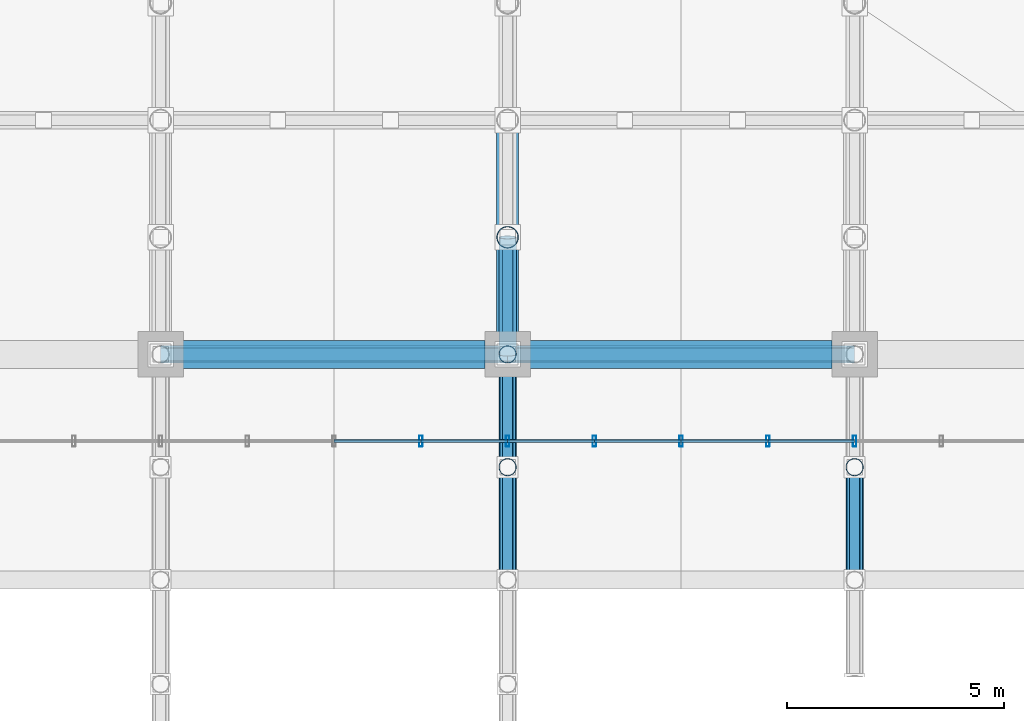
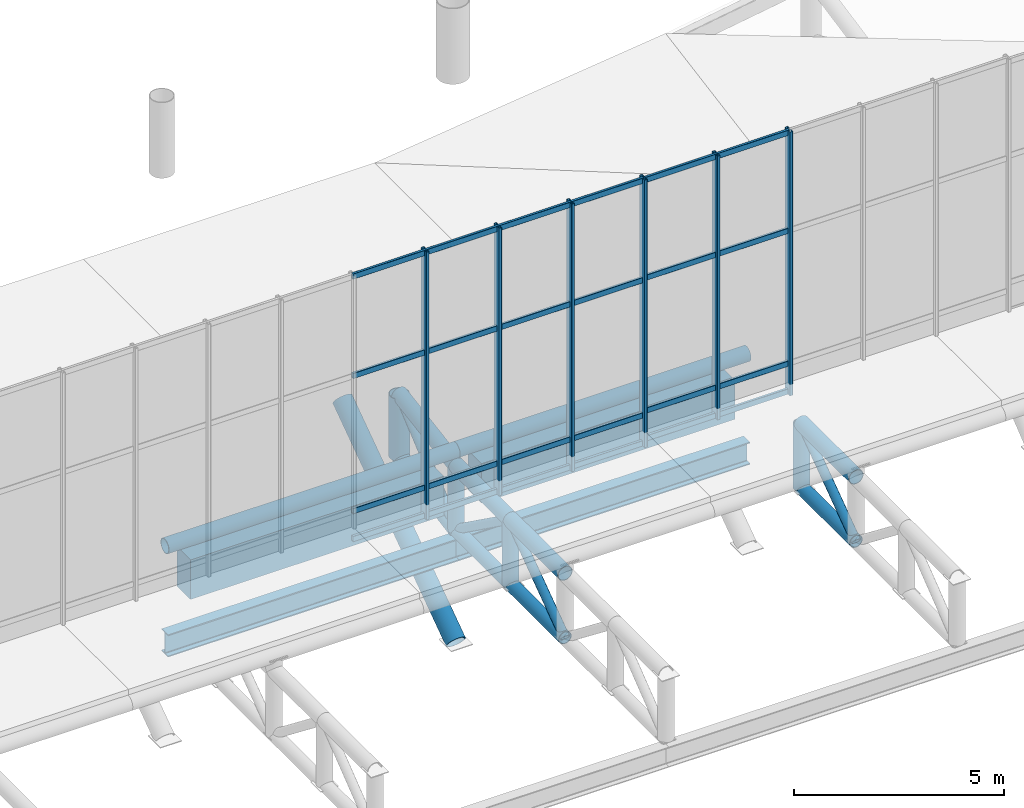
# One storey, part 52 of 137: 49 members, 4 beams, 2 elements without a shape of their own.
"""IFC4 building model written with IfcOpenShell, lengths in metres."""

from ifc_helpers import new_model, si_unit, direction, frame, origin, origin_2d, place, context, subcontext, project, spatial, rectangle, hollow_rectangle, hollow_circle, i_section, extrude, material, layer, layer_set, material_profile, profile_set, type_object, element, aggregate, save


model = new_model("IFC4")

# Units and contexts
model_context = context("Model", 3, precision=1e-05, world=origin(), true_north=direction((0.0, 1.0)))
body_context = subcontext(model_context, "Body", "Model", "MODEL_VIEW")
ifc_project = project(units=[si_unit("LENGTHUNIT", "METRE"), si_unit("AREAUNIT", "SQUARE_METRE"), si_unit("VOLUMEUNIT", "CUBIC_METRE"), si_unit("PLANEANGLEUNIT", "RADIAN"), si_unit("MASSUNIT", "GRAM", prefix="KILO")], contexts=[model_context])

# Site, building, storey
site_placement = place(None, origin())
site = spatial("IfcSite", under=ifc_project, at=site_placement, CompositionType="ELEMENT")
building_placement = place(site_placement, origin())
building = spatial("IfcBuilding", under=site, at=building_placement, Name="Khorjan Park Terminus", CompositionType="ELEMENT")
storey_placement = place(building_placement, frame((0.0, 0.0, 11.4)))
storey = spatial("IfcBuildingStorey", under=building, at=storey_placement, Name="L02", CompositionType="ELEMENT", Elevation=11.4)

# Members
ifc_material_1 = material(Name="Steel S355", Category="steel")
ifc_material_profile_1 = material_profile(ifc_material_1, hollow_circle(Radius=0.1222, WallThickness=0.0125, at=origin_2d()), Name="CHS 244.5x12.5")
ifc_profile_set_1 = profile_set([ifc_material_profile_1], Name="Steel S355")
member_type_1 = type_object("IfcMemberType", Name="MB-BR-245", PredefinedType="BRACE", material=ifc_profile_set_1)
for number, where, z_axis, x_axis, name in (
    (1, (96.0, 82.8, -1.92), (0.0, 0.811830357573, 0.583893372562), (-1.0, 0.0, 0.0), "Lower shell cantilever truss diagonal (7N)"),
    (2, (96.0, 85.4, -0.05), (0.0, 0.811830357573, -0.583893372562), (-1.0, 0.0, 0.0), "Lower shell cantilever truss diagonal (7N)"),
    (3, (104.0, 82.8, -1.92), (0.0, 0.811830357573, 0.583893372562), (-1.0, 0.0, 0.0), "Lower shell cantilever truss diagonal (8N)"),
):
    element("IfcMember", number, at=place(storey_placement, frame(where, z_axis=z_axis, x_axis=x_axis)), inside=storey, type_object=member_type_1, Name=name, PredefinedType="BRACE", context=body_context, shape_type="SweptSolid", body=[
        extrude(hollow_circle(Radius=0.1222, WallThickness=0.0125, at=origin_2d()), origin(), (0.0, 0.0, 1.0), 3.2026),
    ])
ifc_material_profile_2 = material_profile(ifc_material_1, hollow_circle(Radius=0.1222, WallThickness=0.0125, at=origin_2d()), Name="CHS 244.5x12.5")
ifc_profile_set_2 = profile_set([ifc_material_profile_2], Name="Steel S355")
member_type_2 = type_object("IfcMemberType", Name="MB-BRE-245", PredefinedType="BRACE", material=ifc_profile_set_2)
member_1_placement = place(storey_placement, frame((96.0, 88.0, -1.92), z_axis=(0.0, 0.759574242279, 0.650420610426), x_axis=(-1.0, 0.0, 0.0)))
element("IfcMember", 4, at=member_1_placement, inside=storey, type_object=member_type_2, Name="Lower shell cantilever truss diagonal (7N)", PredefinedType="BRACE", context=body_context, shape_type="SweptSolid", body=[
    extrude(hollow_circle(Radius=0.1222, WallThickness=0.0125, at=origin_2d()), origin(), (0.0, 0.0, 1.0), 3.5546),
])
ifc_material_profile_3 = material_profile(ifc_material_1, hollow_circle(Radius=0.1778, WallThickness=0.016, at=origin_2d()), Name="CHS 355.6x16")
ifc_profile_set_3 = profile_set([ifc_material_profile_3], Name="Steel S355")
member_type_3 = type_object("IfcMemberType", Name="MB-CH-356", PredefinedType="CHORD", material=ifc_profile_set_3)
for number, where, z_axis, x_axis, name in (
    (5, (96.0, 82.8, -1.92), (0.0, 1.0, 0.0), (-1.0, 0.0, 0.0), "Lower shell cantilever truss bottom chord (7N)"),
    (6, (96.0, 85.4, -1.92), (0.0, 1.0, 0.0), (-1.0, 0.0, 0.0), "Lower shell cantilever truss bottom chord (7N)"),
    (7, (104.0, 82.8, -1.92), (0.0, 1.0, 0.0), (-1.0, 0.0, 0.0), "Lower shell cantilever truss bottom chord (8N)"),
):
    element("IfcMember", number, at=place(storey_placement, frame(where, z_axis=z_axis, x_axis=x_axis)), inside=storey, type_object=member_type_3, Name=name, PredefinedType="CHORD", context=body_context, shape_type="SweptSolid", body=[
        extrude(hollow_circle(Radius=0.1778, WallThickness=0.016, at=origin_2d()), origin(), (0.0, 0.0, 1.0), 2.6),
    ])
ifc_material_profile_4 = material_profile(ifc_material_1, hollow_circle(Radius=0.2032, WallThickness=0.016, at=origin_2d()), Name="CHS 406.4x16")
ifc_profile_set_4 = profile_set([ifc_material_profile_4], Name="Steel S355")
member_type_4 = type_object("IfcMemberType", Name="MB-CH-406", PredefinedType="CHORD", material=ifc_profile_set_4)
for number, where, z_axis, x_axis, name in (
    (8, (96.0, 82.8, -0.05), (0.0, 1.0, 0.0), (-1.0, 0.0, 0.0), "Lower shell cantilever truss top chord (7N)"),
    (9, (96.0, 85.4, -0.05), (0.0, 1.0, 0.0), (-1.0, 0.0, 0.0), "Lower shell cantilever truss top chord (7N)"),
    (10, (104.0, 82.8, -0.05), (0.0, 1.0, 0.0), (-1.0, 0.0, 0.0), "Lower shell cantilever truss top chord (8N)"),
):
    element("IfcMember", number, at=place(storey_placement, frame(where, z_axis=z_axis, x_axis=x_axis)), inside=storey, type_object=member_type_4, Name=name, PredefinedType="CHORD", context=body_context, shape_type="SweptSolid", body=[
        extrude(hollow_circle(Radius=0.2032, WallThickness=0.016, at=origin_2d()), origin(), (0.0, 0.0, 1.0), 2.6),
    ])
ifc_material_profile_5 = material_profile(ifc_material_1, hollow_circle(Radius=0.2032, WallThickness=0.016, at=origin_2d()), Name="CHS 406.4x16")
ifc_profile_set_5 = profile_set([ifc_material_profile_5], Name="Steel S355")
member_type_5 = type_object("IfcMemberType", Name="MB-CHE-406", PredefinedType="CHORD", material=ifc_profile_set_5)
for number, where, z_axis, x_axis, name in (
    (11, (88.0, 88.0, 0.392), (1.0, 0.0, 0.0), (0.0, 1.0, 0.0), "Lower wrapping shell rim chord (112)"),
    (12, (96.0, 88.0, 0.392), (1.0, 0.0, 0.0), (0.0, 1.0, 0.0), "Lower wrapping shell rim chord (113)"),
):
    element("IfcMember", number, at=place(storey_placement, frame(where, z_axis=z_axis, x_axis=x_axis)), inside=storey, type_object=member_type_5, Name=name, PredefinedType="CHORD", context=body_context, shape_type="SweptSolid", body=[
        extrude(hollow_circle(Radius=0.2032, WallThickness=0.016, at=origin_2d()), origin(), (0.0, 0.0, 1.0), 8.0),
    ])
member_2_placement = place(storey_placement, frame((96.0, 88.0, -0.05), z_axis=(0.0, 0.986863989833, 0.161553290188), x_axis=(-1.0, 0.0, 0.0)))
element("IfcMember", 13, at=member_2_placement, inside=storey, type_object=member_type_5, Name="Lower shell cantilever truss top chord (7N)", PredefinedType="CHORD", context=body_context, shape_type="SweptSolid", body=[
    extrude(hollow_circle(Radius=0.2032, WallThickness=0.016, at=origin_2d()), origin(), (0.0, 0.0, 1.0), 2.7359),
])
member_3_placement = place(storey_placement, frame((96.0, 88.0, -1.92), z_axis=(0.0, 0.98249111826, 0.18630942687), x_axis=(-1.0, 0.0, 0.0)))
element("IfcMember", 14, at=member_3_placement, inside=storey, type_object=member_type_5, Name="Lower shell cantilever truss bottom chord (7N)", PredefinedType="CHORD", context=body_context, shape_type="SweptSolid", body=[
    extrude(hollow_circle(Radius=0.2032, WallThickness=0.016, at=origin_2d()), origin(), (0.0, 0.0, 1.0), 2.7481),
])
ifc_material_profile_6 = material_profile(ifc_material_1, hollow_circle(Radius=0.2032, WallThickness=0.016, at=origin_2d()), Name="CHS 406.4x16")
ifc_profile_set_6 = profile_set([ifc_material_profile_6], Name="Steel S355")
member_type_6 = type_object("IfcMemberType", Name="MB-ST-406", PredefinedType="STRUT", material=ifc_profile_set_6)
for number, where, z_axis, x_axis, name in (
    (15, (96.0, 85.4, -1.92), (0.0, 0.0, 1.0), (1.0, 0.0, 0.0), "Lower shell cantilever truss post (7N)"),
    (16, (96.0, 88.0, -1.92), (0.0, 0.0, 1.0), (1.0, 0.0, 0.0), "Lower shell cantilever truss post (7N)"),
    (17, (104.0, 85.4, -1.92), (0.0, 0.0, 1.0), (1.0, 0.0, 0.0), "Lower shell cantilever truss post (8N)"),
):
    element("IfcMember", number, at=place(storey_placement, frame(where, z_axis=z_axis, x_axis=x_axis)), inside=storey, type_object=member_type_6, Name=name, PredefinedType="STRUT", context=body_context, shape_type="SweptSolid", body=[
        extrude(hollow_circle(Radius=0.2032, WallThickness=0.016, at=origin_2d()), origin(), (0.0, 0.0, 1.0), 1.87),
    ])
ifc_material_profile_7 = material_profile(ifc_material_1, hollow_circle(Radius=0.254, WallThickness=0.02, at=origin_2d()), Name="CHS 508x20")
ifc_profile_set_7 = profile_set([ifc_material_profile_7], Name="Steel S355")
member_type_7 = type_object("IfcMemberType", Name="MB-STE-508", PredefinedType="STRUT", material=ifc_profile_set_7)
member_4_placement = place(storey_placement, frame((96.0, 90.7, -1.408), z_axis=(0.0, 0.0, 1.0), x_axis=(1.0, 0.0, 0.0)))
element("IfcMember", 18, at=member_4_placement, inside=storey, type_object=member_type_7, Name="Lower shell cantilever truss post (7N)", PredefinedType="STRUT", context=body_context, shape_type="SweptSolid", body=[
    extrude(hollow_circle(Radius=0.254, WallThickness=0.02, at=origin_2d()), origin(), (0.0, 0.0, 1.0), 1.8),
])
member_5_placement = place(storey_placement, frame((96.0, 88.0, -5.2), z_axis=(0.0, 0.818376628533, 0.574682254703), x_axis=(-1.0, 0.0, 0.0)))
element("IfcMember", 19, at=member_5_placement, inside=storey, type_object=member_type_7, Name="Lower shell raked overhang V-strut STE-51 (7N)", PredefinedType="STRUT", context=body_context, shape_type="SweptSolid", body=[
    extrude(hollow_circle(Radius=0.254, WallThickness=0.02, at=origin_2d()), origin(), (0.0, 0.0, 1.0), 6.5984),
])

# Curtain wall, members
ifc_material_2 = material(Name="Anodized Bronze Aluminium", Category="aluminium")
ifc_layer = layer(ifc_material_2, 0.22)
ifc_layer_set = layer_set([ifc_layer], Name="Anodized Bronze Aluminium")
curtain_wall_type = type_object("IfcCurtainWallType", Name="CW-CONC-CLR", PredefinedType="NOTDEFINED", material=ifc_layer_set)
curtain_wall_1_placement = place(storey_placement, origin())
curtain_wall_1 = element("IfcCurtainWall", 20, at=curtain_wall_1_placement, inside=storey, type_object=curtain_wall_type, Name="Unitized curtain wall CW-CL (CW-V2-N-CLR-05)", PredefinedType="NOTDEFINED")
ifc_material_profile_8 = material_profile(ifc_material_2, hollow_rectangle(XDim=0.08, YDim=0.25, WallThickness=0.005, InnerFilletRadius=0.005, OuterFilletRadius=0.01, at=origin_2d()), Name="ALM 80x250x5")
ifc_profile_set_8 = profile_set([ifc_material_profile_8], Name="Anodized Bronze Aluminium")
member_type_8 = type_object("IfcMemberType", Name="ML-ALM-250", PredefinedType="MULLION", material=ifc_profile_set_8)
member_6_placement = place(storey_placement, frame((100.0, 86.0, 0.345), z_axis=(0.0, 0.0, 1.0), x_axis=(-1.0, 0.0, 0.0)))
member_6 = element("IfcMember", 21, at=member_6_placement, type_object=member_type_8, Name="Curtain-wall mullion ML-25 (CW-V2-N-CLR-05-0)", PredefinedType="MULLION", context=body_context, shape_type="SweptSolid", body=[
    extrude(hollow_rectangle(XDim=0.08, YDim=0.25, WallThickness=0.005, InnerFilletRadius=0.005, OuterFilletRadius=0.01, at=origin_2d()), origin(), (0.0, 0.0, 1.0), 7.7782),
])
member_7_placement = place(storey_placement, frame((98.0, 86.0, 0.345), z_axis=(0.0, 0.0, 1.0), x_axis=(-1.0, 0.0, 0.0)))
member_7 = element("IfcMember", 22, at=member_7_placement, type_object=member_type_8, Name="Curtain-wall mullion ML-25 (CW-V2-N-CLR-05-1)", PredefinedType="MULLION", context=body_context, shape_type="SweptSolid", body=[
    extrude(hollow_rectangle(XDim=0.08, YDim=0.25, WallThickness=0.005, InnerFilletRadius=0.005, OuterFilletRadius=0.01, at=origin_2d()), origin(), (0.0, 0.0, 1.0), 7.7782),
])
member_8_placement = place(storey_placement, frame((96.0, 86.0, 0.345), z_axis=(0.0, 0.0, 1.0), x_axis=(-1.0, 0.0, 0.0)))
member_8 = element("IfcMember", 23, at=member_8_placement, type_object=member_type_8, Name="Curtain-wall mullion ML-25 (CW-V2-N-CLR-05-2)", PredefinedType="MULLION", context=body_context, shape_type="SweptSolid", body=[
    extrude(hollow_rectangle(XDim=0.08, YDim=0.25, WallThickness=0.005, InnerFilletRadius=0.005, OuterFilletRadius=0.01, at=origin_2d()), origin(), (0.0, 0.0, 1.0), 7.7782),
])
member_9_placement = place(storey_placement, frame((94.0, 86.0, 0.345), z_axis=(0.0, 0.0, 1.0), x_axis=(-1.0, 0.0, 0.0)))
member_9 = element("IfcMember", 24, at=member_9_placement, type_object=member_type_8, Name="Curtain-wall mullion ML-25 (CW-V2-N-CLR-05-3)", PredefinedType="MULLION", context=body_context, shape_type="SweptSolid", body=[
    extrude(hollow_rectangle(XDim=0.08, YDim=0.25, WallThickness=0.005, InnerFilletRadius=0.005, OuterFilletRadius=0.01, at=origin_2d()), origin(), (0.0, 0.0, 1.0), 7.7782),
])

curtain_wall_2_placement = place(storey_placement, origin())
curtain_wall_2 = element("IfcCurtainWall", 25, at=curtain_wall_2_placement, inside=storey, type_object=curtain_wall_type, Name="Unitized curtain wall CW-CL (CW-V2-N-CLR-06)", PredefinedType="NOTDEFINED")
member_10_placement = place(storey_placement, frame((104.0, 86.0, 0.45), z_axis=(0.0, 0.0, 1.0), x_axis=(-1.0, 0.0, 0.0)))
member_10 = element("IfcMember", 26, at=member_10_placement, type_object=member_type_8, Name="Curtain-wall mullion ML-25 (CW-V2-N-CLR-06-3)", PredefinedType="MULLION", context=body_context, shape_type="SweptSolid", body=[
    extrude(hollow_rectangle(XDim=0.08, YDim=0.25, WallThickness=0.005, InnerFilletRadius=0.005, OuterFilletRadius=0.01, at=origin_2d()), origin(), (0.0, 0.0, 1.0), 7.6669),
])
member_11_placement = place(storey_placement, frame((102.0, 86.0, 0.45), z_axis=(0.0, 0.0, 1.0), x_axis=(-1.0, 0.0, 0.0)))
member_11 = element("IfcMember", 27, at=member_11_placement, type_object=member_type_8, Name="Curtain-wall mullion ML-25 (CW-V2-N-CLR-06-4)", PredefinedType="MULLION", context=body_context, shape_type="SweptSolid", body=[
    extrude(hollow_rectangle(XDim=0.08, YDim=0.25, WallThickness=0.005, InnerFilletRadius=0.005, OuterFilletRadius=0.01, at=origin_2d()), origin(), (0.0, 0.0, 1.0), 7.6669),
])

# Beams
ifc_material_profile_9 = material_profile(ifc_material_1, i_section(OverallWidth=0.3, OverallDepth=0.65, WebThickness=0.016, FlangeThickness=0.031, FilletRadius=0.027, at=origin_2d()), Name="HEB 650")
ifc_profile_set_9 = profile_set([ifc_material_profile_9], Name="Steel S355")
beam_type_1 = type_object("IfcBeamType", Name="SP-HEB650E", PredefinedType="SPANDREL", material=ifc_profile_set_9)
for number, where, z_axis, x_axis, name in (
    (28, (88.0, 88.0, -2.425), (1.0, 0.0, 0.0), (0.0, 1.0, 0.0), "Lower shell truss support girder SP-E65 (X17)"),
    (29, (96.0, 88.0, -2.425), (1.0, 0.0, 0.0), (0.0, 1.0, 0.0), "Lower shell truss support girder SP-E65 (X18)"),
):
    element("IfcBeam", number, at=place(storey_placement, frame(where, z_axis=z_axis, x_axis=x_axis)), inside=storey, type_object=beam_type_1, Name=name, PredefinedType="SPANDREL", context=body_context, shape_type="SweptSolid", body=[
        extrude(i_section(OverallWidth=0.3, OverallDepth=0.65, WebThickness=0.016, FlangeThickness=0.031, FilletRadius=0.027, at=origin_2d()), origin(), (0.0, 0.0, 1.0), 8.0),
    ])
ifc_material_3 = material(Name="Concrete C50/60", Category="concrete")
ifc_material_profile_10 = material_profile(ifc_material_3, rectangle(XDim=0.65, YDim=1.15, at=origin_2d()), Name="RC 650x1150")
ifc_profile_set_10 = profile_set([ifc_material_profile_10], Name="Concrete C50/60")
beam_type_2 = type_object("IfcBeamType", Name="SP-RC650x1150", PredefinedType="SPANDREL", material=ifc_profile_set_10)
for number, where, z_axis, x_axis, name in (
    (30, (88.52, 88.0, -0.575), (1.0, 0.0, 0.0), (0.0, 1.0, 0.0), "Concourse lower colonnade ring beam SP-11 (L02-48)"),
    (31, (96.52, 88.0, -0.575), (1.0, 0.0, 0.0), (0.0, 1.0, 0.0), "Concourse lower colonnade ring beam SP-11 (L02-50)"),
):
    element("IfcBeam", number, at=place(storey_placement, frame(where, z_axis=z_axis, x_axis=x_axis)), inside=storey, type_object=beam_type_2, Name=name, PredefinedType="SPANDREL", context=body_context, shape_type="SweptSolid", body=[
        extrude(rectangle(XDim=0.65, YDim=1.15, at=origin_2d()), origin(), (0.0, 0.0, 1.0), 6.96),
    ])

# Member
ifc_material_profile_11 = material_profile(ifc_material_2, hollow_rectangle(XDim=0.07, YDim=0.16, WallThickness=0.004, InnerFilletRadius=0.004, OuterFilletRadius=0.008, at=origin_2d()), Name="ALT 70x160x4")
ifc_profile_set_11 = profile_set([ifc_material_profile_11], Name="Anodized Bronze Aluminium")
member_type_9 = type_object("IfcMemberType", Name="TR-ALT-160", PredefinedType="USERDEFINED", material=ifc_profile_set_11)
member_12_placement = place(storey_placement, frame((100.0, 86.0, 0.42), z_axis=(-1.0, 0.0, 0.0), x_axis=(0.0, -1.0, 0.0)))
member_12 = element("IfcMember", 32, at=member_12_placement, type_object=member_type_9, Name="Curtain-wall transom TR-16 (CW-V2-N-CLR-05-0-1)", ObjectType="TRANSOM", PredefinedType="USERDEFINED", context=body_context, shape_type="SweptSolid", body=[
    extrude(hollow_rectangle(XDim=0.07, YDim=0.16, WallThickness=0.004, InnerFilletRadius=0.004, OuterFilletRadius=0.008, at=origin_2d()), origin(), (0.0, 0.0, 1.0), 2.0),
])

member_13_placement = place(storey_placement, frame((100.0, 86.0, 1.23), z_axis=(-1.0, 0.0, 0.0), x_axis=(0.0, -1.0, 0.0)))
member_13 = element("IfcMember", 33, at=member_13_placement, type_object=member_type_9, Name="Curtain-wall transom TR-16 (CW-V2-N-CLR-05-0-2)", ObjectType="TRANSOM", PredefinedType="USERDEFINED", context=body_context, shape_type="SweptSolid", body=[
    extrude(hollow_rectangle(XDim=0.07, YDim=0.16, WallThickness=0.004, InnerFilletRadius=0.004, OuterFilletRadius=0.008, at=origin_2d()), origin(), (0.0, 0.0, 1.0), 2.0),
])

member_14_placement = place(storey_placement, frame((100.0, 86.0, 5.1591), z_axis=(-1.0, 0.0, 0.0), x_axis=(0.0, -1.0, 0.0)))
member_14 = element("IfcMember", 34, at=member_14_placement, type_object=member_type_9, Name="Curtain-wall transom TR-16 (CW-V2-N-CLR-05-0-3)", ObjectType="TRANSOM", PredefinedType="USERDEFINED", context=body_context, shape_type="SweptSolid", body=[
    extrude(hollow_rectangle(XDim=0.07, YDim=0.16, WallThickness=0.004, InnerFilletRadius=0.004, OuterFilletRadius=0.008, at=origin_2d()), origin(), (0.0, 0.0, 1.0), 2.0),
])

member_15_placement = place(storey_placement, frame((100.0, 86.0, 8.0482), z_axis=(-1.0, 0.0, 0.0), x_axis=(0.0, -1.0, 0.0)))
member_15 = element("IfcMember", 35, at=member_15_placement, type_object=member_type_9, Name="Curtain-wall transom TR-16 (CW-V2-N-CLR-05-0-4)", ObjectType="TRANSOM", PredefinedType="USERDEFINED", context=body_context, shape_type="SweptSolid", body=[
    extrude(hollow_rectangle(XDim=0.07, YDim=0.16, WallThickness=0.004, InnerFilletRadius=0.004, OuterFilletRadius=0.008, at=origin_2d()), origin(), (0.0, 0.0, 1.0), 2.0),
])

member_16_placement = place(storey_placement, frame((98.0, 86.0, 0.42), z_axis=(-1.0, 0.0, 0.0), x_axis=(0.0, -1.0, 0.0)))
member_16 = element("IfcMember", 36, at=member_16_placement, type_object=member_type_9, Name="Curtain-wall transom TR-16 (CW-V2-N-CLR-05-1-1)", ObjectType="TRANSOM", PredefinedType="USERDEFINED", context=body_context, shape_type="SweptSolid", body=[
    extrude(hollow_rectangle(XDim=0.07, YDim=0.16, WallThickness=0.004, InnerFilletRadius=0.004, OuterFilletRadius=0.008, at=origin_2d()), origin(), (0.0, 0.0, 1.0), 2.0),
])

member_17_placement = place(storey_placement, frame((98.0, 86.0, 1.23), z_axis=(-1.0, 0.0, 0.0), x_axis=(0.0, -1.0, 0.0)))
member_17 = element("IfcMember", 37, at=member_17_placement, type_object=member_type_9, Name="Curtain-wall transom TR-16 (CW-V2-N-CLR-05-1-2)", ObjectType="TRANSOM", PredefinedType="USERDEFINED", context=body_context, shape_type="SweptSolid", body=[
    extrude(hollow_rectangle(XDim=0.07, YDim=0.16, WallThickness=0.004, InnerFilletRadius=0.004, OuterFilletRadius=0.008, at=origin_2d()), origin(), (0.0, 0.0, 1.0), 2.0),
])

member_18_placement = place(storey_placement, frame((98.0, 86.0, 5.1591), z_axis=(-1.0, 0.0, 0.0), x_axis=(0.0, -1.0, 0.0)))
member_18 = element("IfcMember", 38, at=member_18_placement, type_object=member_type_9, Name="Curtain-wall transom TR-16 (CW-V2-N-CLR-05-1-3)", ObjectType="TRANSOM", PredefinedType="USERDEFINED", context=body_context, shape_type="SweptSolid", body=[
    extrude(hollow_rectangle(XDim=0.07, YDim=0.16, WallThickness=0.004, InnerFilletRadius=0.004, OuterFilletRadius=0.008, at=origin_2d()), origin(), (0.0, 0.0, 1.0), 2.0),
])

member_19_placement = place(storey_placement, frame((98.0, 86.0, 8.0482), z_axis=(-1.0, 0.0, 0.0), x_axis=(0.0, -1.0, 0.0)))
member_19 = element("IfcMember", 39, at=member_19_placement, type_object=member_type_9, Name="Curtain-wall transom TR-16 (CW-V2-N-CLR-05-1-4)", ObjectType="TRANSOM", PredefinedType="USERDEFINED", context=body_context, shape_type="SweptSolid", body=[
    extrude(hollow_rectangle(XDim=0.07, YDim=0.16, WallThickness=0.004, InnerFilletRadius=0.004, OuterFilletRadius=0.008, at=origin_2d()), origin(), (0.0, 0.0, 1.0), 2.0),
])

member_20_placement = place(storey_placement, frame((96.0, 86.0, 0.42), z_axis=(-1.0, 0.0, 0.0), x_axis=(0.0, -1.0, 0.0)))
member_20 = element("IfcMember", 40, at=member_20_placement, type_object=member_type_9, Name="Curtain-wall transom TR-16 (CW-V2-N-CLR-05-2-1)", ObjectType="TRANSOM", PredefinedType="USERDEFINED", context=body_context, shape_type="SweptSolid", body=[
    extrude(hollow_rectangle(XDim=0.07, YDim=0.16, WallThickness=0.004, InnerFilletRadius=0.004, OuterFilletRadius=0.008, at=origin_2d()), origin(), (0.0, 0.0, 1.0), 2.0),
])

member_21_placement = place(storey_placement, frame((96.0, 86.0, 1.23), z_axis=(-1.0, 0.0, 0.0), x_axis=(0.0, -1.0, 0.0)))
member_21 = element("IfcMember", 41, at=member_21_placement, type_object=member_type_9, Name="Curtain-wall transom TR-16 (CW-V2-N-CLR-05-2-2)", ObjectType="TRANSOM", PredefinedType="USERDEFINED", context=body_context, shape_type="SweptSolid", body=[
    extrude(hollow_rectangle(XDim=0.07, YDim=0.16, WallThickness=0.004, InnerFilletRadius=0.004, OuterFilletRadius=0.008, at=origin_2d()), origin(), (0.0, 0.0, 1.0), 2.0),
])

member_22_placement = place(storey_placement, frame((96.0, 86.0, 5.1591), z_axis=(-1.0, 0.0, 0.0), x_axis=(0.0, -1.0, 0.0)))
member_22 = element("IfcMember", 42, at=member_22_placement, type_object=member_type_9, Name="Curtain-wall transom TR-16 (CW-V2-N-CLR-05-2-3)", ObjectType="TRANSOM", PredefinedType="USERDEFINED", context=body_context, shape_type="SweptSolid", body=[
    extrude(hollow_rectangle(XDim=0.07, YDim=0.16, WallThickness=0.004, InnerFilletRadius=0.004, OuterFilletRadius=0.008, at=origin_2d()), origin(), (0.0, 0.0, 1.0), 2.0),
])

member_23_placement = place(storey_placement, frame((96.0, 86.0, 8.0482), z_axis=(-1.0, 0.0, 0.0), x_axis=(0.0, -1.0, 0.0)))
member_23 = element("IfcMember", 43, at=member_23_placement, type_object=member_type_9, Name="Curtain-wall transom TR-16 (CW-V2-N-CLR-05-2-4)", ObjectType="TRANSOM", PredefinedType="USERDEFINED", context=body_context, shape_type="SweptSolid", body=[
    extrude(hollow_rectangle(XDim=0.07, YDim=0.16, WallThickness=0.004, InnerFilletRadius=0.004, OuterFilletRadius=0.008, at=origin_2d()), origin(), (0.0, 0.0, 1.0), 2.0),
])

member_24_placement = place(storey_placement, frame((94.0, 86.0, 0.42), z_axis=(-1.0, 0.0, 0.0), x_axis=(0.0, -1.0, 0.0)))
member_24 = element("IfcMember", 44, at=member_24_placement, type_object=member_type_9, Name="Curtain-wall transom TR-16 (CW-V2-N-CLR-05-3-1)", ObjectType="TRANSOM", PredefinedType="USERDEFINED", context=body_context, shape_type="SweptSolid", body=[
    extrude(hollow_rectangle(XDim=0.07, YDim=0.16, WallThickness=0.004, InnerFilletRadius=0.004, OuterFilletRadius=0.008, at=origin_2d()), origin(), (0.0, 0.0, 1.0), 2.0),
])

member_25_placement = place(storey_placement, frame((94.0, 86.0, 1.23), z_axis=(-1.0, 0.0, 0.0), x_axis=(0.0, -1.0, 0.0)))
member_25 = element("IfcMember", 45, at=member_25_placement, type_object=member_type_9, Name="Curtain-wall transom TR-16 (CW-V2-N-CLR-05-3-2)", ObjectType="TRANSOM", PredefinedType="USERDEFINED", context=body_context, shape_type="SweptSolid", body=[
    extrude(hollow_rectangle(XDim=0.07, YDim=0.16, WallThickness=0.004, InnerFilletRadius=0.004, OuterFilletRadius=0.008, at=origin_2d()), origin(), (0.0, 0.0, 1.0), 2.0),
])

member_26_placement = place(storey_placement, frame((94.0, 86.0, 5.1591), z_axis=(-1.0, 0.0, 0.0), x_axis=(0.0, -1.0, 0.0)))
member_26 = element("IfcMember", 46, at=member_26_placement, type_object=member_type_9, Name="Curtain-wall transom TR-16 (CW-V2-N-CLR-05-3-3)", ObjectType="TRANSOM", PredefinedType="USERDEFINED", context=body_context, shape_type="SweptSolid", body=[
    extrude(hollow_rectangle(XDim=0.07, YDim=0.16, WallThickness=0.004, InnerFilletRadius=0.004, OuterFilletRadius=0.008, at=origin_2d()), origin(), (0.0, 0.0, 1.0), 2.0),
])

member_27_placement = place(storey_placement, frame((94.0, 86.0, 8.0482), z_axis=(-1.0, 0.0, 0.0), x_axis=(0.0, -1.0, 0.0)))
member_27 = element("IfcMember", 47, at=member_27_placement, type_object=member_type_9, Name="Curtain-wall transom TR-16 (CW-V2-N-CLR-05-3-4)", ObjectType="TRANSOM", PredefinedType="USERDEFINED", context=body_context, shape_type="SweptSolid", body=[
    extrude(hollow_rectangle(XDim=0.07, YDim=0.16, WallThickness=0.004, InnerFilletRadius=0.004, OuterFilletRadius=0.008, at=origin_2d()), origin(), (0.0, 0.0, 1.0), 2.0),
])

aggregate(curtain_wall_1, [member_6, member_7, member_8, member_9, member_12, member_13, member_14, member_15, member_16, member_17, member_18, member_19, member_20, member_21, member_22, member_23, member_24, member_25, member_26, member_27])

member_28_placement = place(storey_placement, frame((104.0, 86.0, 0.525), z_axis=(-1.0, 0.0, 0.0), x_axis=(0.0, -1.0, 0.0)))
member_28 = element("IfcMember", 48, at=member_28_placement, type_object=member_type_9, Name="Curtain-wall transom TR-16 (CW-V2-N-CLR-06-3-1)", ObjectType="TRANSOM", PredefinedType="USERDEFINED", context=body_context, shape_type="SweptSolid", body=[
    extrude(hollow_rectangle(XDim=0.07, YDim=0.16, WallThickness=0.004, InnerFilletRadius=0.004, OuterFilletRadius=0.008, at=origin_2d()), origin(), (0.0, 0.0, 1.0), 2.0),
])

member_29_placement = place(storey_placement, frame((104.0, 86.0, 1.335), z_axis=(-1.0, 0.0, 0.0), x_axis=(0.0, -1.0, 0.0)))
member_29 = element("IfcMember", 49, at=member_29_placement, type_object=member_type_9, Name="Curtain-wall transom TR-16 (CW-V2-N-CLR-06-3-2)", ObjectType="TRANSOM", PredefinedType="USERDEFINED", context=body_context, shape_type="SweptSolid", body=[
    extrude(hollow_rectangle(XDim=0.07, YDim=0.16, WallThickness=0.004, InnerFilletRadius=0.004, OuterFilletRadius=0.008, at=origin_2d()), origin(), (0.0, 0.0, 1.0), 2.0),
])

member_30_placement = place(storey_placement, frame((104.0, 86.0, 5.1951), z_axis=(-1.0, 0.0, 0.0), x_axis=(0.0, -1.0, 0.0)))
member_30 = element("IfcMember", 50, at=member_30_placement, type_object=member_type_9, Name="Curtain-wall transom TR-16 (CW-V2-N-CLR-06-3-3)", ObjectType="TRANSOM", PredefinedType="USERDEFINED", context=body_context, shape_type="SweptSolid", body=[
    extrude(hollow_rectangle(XDim=0.07, YDim=0.16, WallThickness=0.004, InnerFilletRadius=0.004, OuterFilletRadius=0.008, at=origin_2d()), origin(), (0.0, 0.0, 1.0), 2.0),
])

member_31_placement = place(storey_placement, frame((104.0, 86.0, 8.0419), z_axis=(-1.0, 0.0, 0.0), x_axis=(0.0, -1.0, 0.0)))
member_31 = element("IfcMember", 51, at=member_31_placement, type_object=member_type_9, Name="Curtain-wall transom TR-16 (CW-V2-N-CLR-06-3-4)", ObjectType="TRANSOM", PredefinedType="USERDEFINED", context=body_context, shape_type="SweptSolid", body=[
    extrude(hollow_rectangle(XDim=0.07, YDim=0.16, WallThickness=0.004, InnerFilletRadius=0.004, OuterFilletRadius=0.008, at=origin_2d()), origin(), (0.0, 0.0, 1.0), 2.0),
])

member_32_placement = place(storey_placement, frame((102.0, 86.0, 0.525), z_axis=(-1.0, 0.0, 0.0), x_axis=(0.0, -1.0, 0.0)))
member_32 = element("IfcMember", 52, at=member_32_placement, type_object=member_type_9, Name="Curtain-wall transom TR-16 (CW-V2-N-CLR-06-4-1)", ObjectType="TRANSOM", PredefinedType="USERDEFINED", context=body_context, shape_type="SweptSolid", body=[
    extrude(hollow_rectangle(XDim=0.07, YDim=0.16, WallThickness=0.004, InnerFilletRadius=0.004, OuterFilletRadius=0.008, at=origin_2d()), origin(), (0.0, 0.0, 1.0), 2.0),
])

member_33_placement = place(storey_placement, frame((102.0, 86.0, 1.335), z_axis=(-1.0, 0.0, 0.0), x_axis=(0.0, -1.0, 0.0)))
member_33 = element("IfcMember", 53, at=member_33_placement, type_object=member_type_9, Name="Curtain-wall transom TR-16 (CW-V2-N-CLR-06-4-2)", ObjectType="TRANSOM", PredefinedType="USERDEFINED", context=body_context, shape_type="SweptSolid", body=[
    extrude(hollow_rectangle(XDim=0.07, YDim=0.16, WallThickness=0.004, InnerFilletRadius=0.004, OuterFilletRadius=0.008, at=origin_2d()), origin(), (0.0, 0.0, 1.0), 2.0),
])

member_34_placement = place(storey_placement, frame((102.0, 86.0, 5.1951), z_axis=(-1.0, 0.0, 0.0), x_axis=(0.0, -1.0, 0.0)))
member_34 = element("IfcMember", 54, at=member_34_placement, type_object=member_type_9, Name="Curtain-wall transom TR-16 (CW-V2-N-CLR-06-4-3)", ObjectType="TRANSOM", PredefinedType="USERDEFINED", context=body_context, shape_type="SweptSolid", body=[
    extrude(hollow_rectangle(XDim=0.07, YDim=0.16, WallThickness=0.004, InnerFilletRadius=0.004, OuterFilletRadius=0.008, at=origin_2d()), origin(), (0.0, 0.0, 1.0), 2.0),
])

member_35_placement = place(storey_placement, frame((102.0, 86.0, 8.0419), z_axis=(-1.0, 0.0, 0.0), x_axis=(0.0, -1.0, 0.0)))
member_35 = element("IfcMember", 55, at=member_35_placement, type_object=member_type_9, Name="Curtain-wall transom TR-16 (CW-V2-N-CLR-06-4-4)", ObjectType="TRANSOM", PredefinedType="USERDEFINED", context=body_context, shape_type="SweptSolid", body=[
    extrude(hollow_rectangle(XDim=0.07, YDim=0.16, WallThickness=0.004, InnerFilletRadius=0.004, OuterFilletRadius=0.008, at=origin_2d()), origin(), (0.0, 0.0, 1.0), 2.0),
])

aggregate(curtain_wall_2, [member_10, member_11, member_28, member_29, member_30, member_31, member_32, member_33, member_34, member_35])

save(model, "model.ifc")
